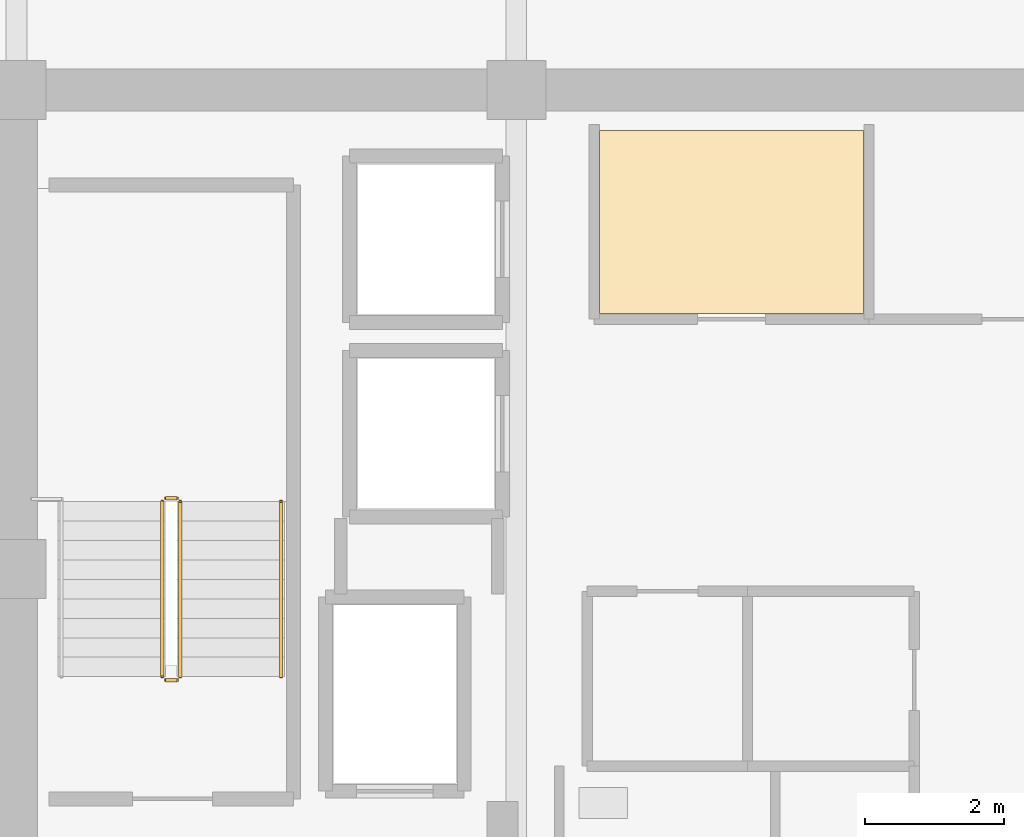
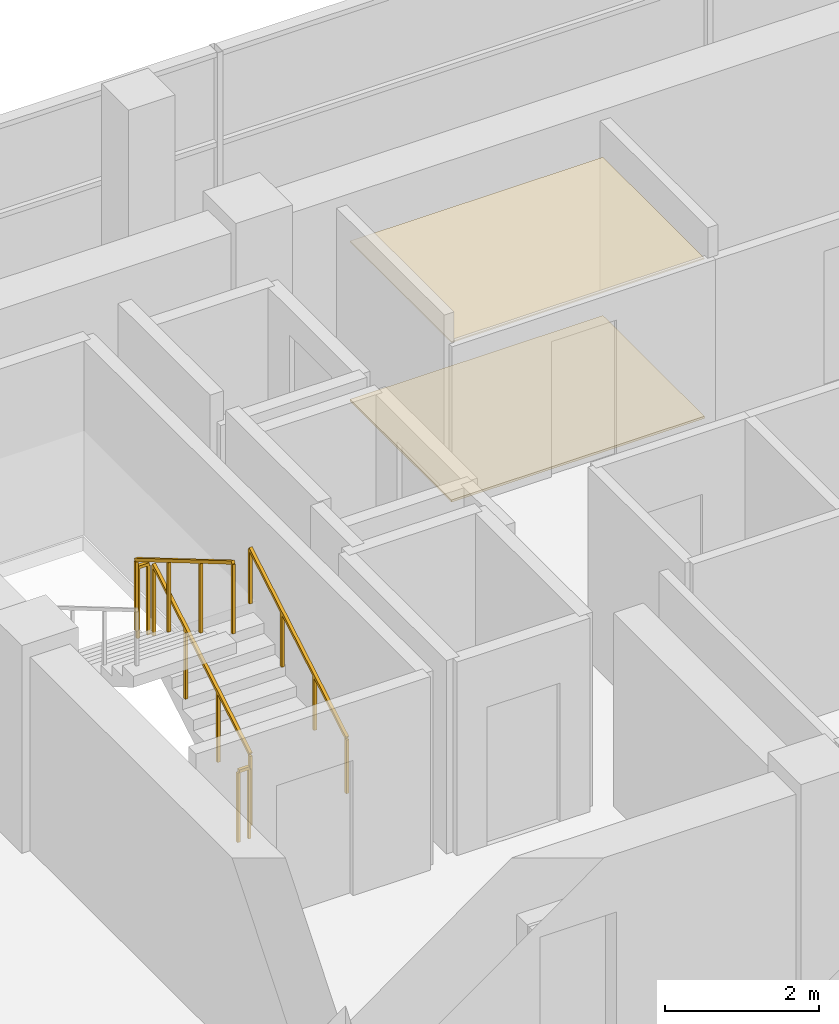
# One storey, part 20 of 22: 5 railings, 2 coverings.
"""IFC4 building model written with IfcOpenShell, lengths in metres."""

from ifc_helpers import new_model, si_unit, direction, frame, origin, origin_2d, place, context, subcontext, project, spatial, polyline, rectangle, outline, extrude, material, layer, layer_set, type_object, element, save


model = new_model("IFC4")

# Units and contexts
model_context = context("Model", 3, precision=1e-05, world=origin(), true_north=direction((0.0, 1.0)))
body_context = subcontext(model_context, "Body", "Model", "MODEL_VIEW")
ifc_project = project(units=[si_unit("LENGTHUNIT", "METRE"), si_unit("AREAUNIT", "SQUARE_METRE"), si_unit("VOLUMEUNIT", "CUBIC_METRE"), si_unit("PLANEANGLEUNIT", "RADIAN"), si_unit("MASSUNIT", "GRAM", prefix="KILO")], contexts=[model_context])

# Site, building, storey
site_placement = place(None, origin())
site = spatial("IfcSite", under=ifc_project, at=site_placement, CompositionType="ELEMENT")
building_placement = place(site_placement, origin())
building = spatial("IfcBuilding", under=site, at=building_placement, Name="Zarnakvel Exchange Tower", CompositionType="ELEMENT")
storey_placement = place(building_placement, frame((0.0, 0.0, 228.699951171875)))
storey = spatial("IfcBuildingStorey", under=building, at=storey_placement, Name="L64", CompositionType="ELEMENT", Elevation=228.699951171875)

# Coverings
ifc_material_1 = material(Name="Perforated Bronze Acoustic Metal Ceiling", Category="aluminium")
ifc_layer_1 = layer(ifc_material_1, 0.02001953125)
ifc_layer_set_1 = layer_set([ifc_layer_1], Name="Perforated Bronze Acoustic Metal Ceiling")
covering_type_1 = type_object("IfcCoveringType", Name="CLG-01", PredefinedType="CEILING", material=ifc_layer_set_1)
covering_1_placement = place(storey_placement, frame((0.0, 0.0, 2.530029296875)))
element("IfcCovering", 1, at=covering_1_placement, inside=storey, type_object=covering_type_1, Name="L64 Suspended Acoustic Ceiling (Clearing Records Office)", PredefinedType="CEILING", context=body_context, shape_type="SweptSolid", body=[
    extrude(outline(polyline([(-6.0, 12.919921875), (-2.199951171875, 12.919921875), (-2.199951171875, 10.280029296875), (-6.0, 10.280029296875), (-6.0, 12.919921875)])), origin(), (0.0, 0.0, 1.0), 0.02001953125),
])
ifc_material_2 = material(Name="Heavy-Duty Raised Access Floor Panel", Category="steel")
ifc_layer_2 = layer(ifc_material_2, 0.034912109375)
ifc_layer_set_2 = layer_set([ifc_layer_2], Name="Heavy-Duty Raised Access Floor Panel")
covering_type_2 = type_object("IfcCoveringType", Name="FLR-02", PredefinedType="FLOORING", material=ifc_layer_set_2)
covering_2_placement = place(storey_placement, origin())
element("IfcCovering", 2, at=covering_2_placement, inside=storey, type_object=covering_type_2, Name="L64 Floor Finish (Clearing Records Office)", PredefinedType="FLOORING", context=body_context, shape_type="SweptSolid", body=[
    extrude(outline(polyline([(-6.0, 12.919921875), (-2.199951171875, 12.919921875), (-2.199951171875, 10.280029296875), (-6.0, 10.280029296875), (-6.0, 12.919921875)])), origin(), (0.0, 0.0, 1.0), 0.03515625),
])

# Railings
ifc_material_3 = material(Name="Brushed Stainless Steel", Category="steel")
railing_type_1 = type_object("IfcRailingType", Name="HR-01", PredefinedType="HANDRAIL", material=ifc_material_3)
railing_1_placement = place(storey_placement, frame((-10.590087890625, 5.050048828125, 0.1650390625)))
element("IfcRailing", 3, at=railing_1_placement, inside=storey, type_object=railing_type_1, Name="L64 ST-01 stair handrail 1", PredefinedType="HANDRAIL", context=body_context, shape_type="SweptSolid", body=[
    extrude(rectangle(XDim=0.048095703125, YDim=0.048095703125, at=origin_2d()), frame((0.0, 0.0, 0.8759765625), z_axis=(0.0, 0.86152411907, 0.507716645641), x_axis=(-1.0, 0.0, 0.0)), (0.0, 0.0, 1.0), 2.925048828125),
    extrude(rectangle(XDim=0.0419921875, YDim=0.0419921875, at=origin_2d()), origin(), (0.0, 0.0, 1.0), 0.851806640625),
    extrude(rectangle(XDim=0.0419921875, YDim=0.0419921875, at=origin_2d()), frame((0.0, 0.840087890625, 0.4951171875)), (0.0, 0.0, 1.0), 0.851806640625),
    extrude(rectangle(XDim=0.0419921875, YDim=0.0419921875, at=origin_2d()), frame((0.0, 1.679931640625, 0.989990234375)), (0.0, 0.0, 1.0), 0.851806640625),
    extrude(rectangle(XDim=0.0419921875, YDim=0.0419921875, at=origin_2d()), frame((0.0, 2.52001953125, 1.485107421875)), (0.0, 0.0, 1.0), 0.851806640625),
])
ifc_material_4 = material(Name="Architectural Bronze Anodised Aluminium", Category="aluminium")
railing_type_2 = type_object("IfcRailingType", Name="SG-01", PredefinedType="GUARDRAIL", material=ifc_material_4)
railing_2_placement = place(storey_placement, frame((-12.0400390625, 5.050048828125, 0.1650390625)))
element("IfcRailing", 4, at=railing_2_placement, inside=storey, type_object=railing_type_2, Name="L64 ST-01 stair guard 1", PredefinedType="GUARDRAIL", context=body_context, shape_type="SweptSolid", body=[
    extrude(rectangle(XDim=0.048095703125, YDim=0.048095703125, at=origin_2d()), frame((0.0, 0.0, 1.1259765625), z_axis=(0.0, 0.86152411907, 0.507716645641), x_axis=(-1.0, 0.0, 0.0)), (0.0, 0.0, 1.0), 2.925048828125),
    extrude(rectangle(XDim=0.0419921875, YDim=0.0419921875, at=origin_2d()), origin(), (0.0, 0.0, 1.0), 1.101806640625),
    extrude(rectangle(XDim=0.0419921875, YDim=0.0419921875, at=origin_2d()), frame((0.0, 0.840087890625, 0.4951171875)), (0.0, 0.0, 1.0), 1.101806640625),
    extrude(rectangle(XDim=0.0419921875, YDim=0.0419921875, at=origin_2d()), frame((0.0, 1.679931640625, 0.989990234375)), (0.0, 0.0, 1.0), 1.101806640625),
    extrude(rectangle(XDim=0.0419921875, YDim=0.0419921875, at=origin_2d()), frame((0.0, 2.52001953125, 1.485107421875)), (0.0, 0.0, 1.0), 1.101806640625),
])
railing_3_placement = place(storey_placement, frame((-12.090087890625, 7.6201171875, 1.650146484375)))
element("IfcRailing", 5, at=railing_3_placement, inside=storey, type_object=railing_type_2, Name="L64 ST-01 stair guard 2", PredefinedType="GUARDRAIL", context=body_context, shape_type="SweptSolid", body=[
    extrude(rectangle(XDim=0.048095703125, YDim=0.048095703125, at=origin_2d()), frame((0.0, 0.0, 1.1259765625), z_axis=(-1.0, 0.0, 0.0), x_axis=(0.0, -1.0, 0.0)), (0.0, 0.0, 1.0), 0.159912109375),
    extrude(rectangle(XDim=0.0419921875, YDim=0.0419921875, at=origin_2d()), origin(), (0.0, 0.0, 1.0), 1.101806640625),
    extrude(rectangle(XDim=0.0419921875, YDim=0.0419921875, at=origin_2d()), frame((-0.159912109375, 0.0, 0.0)), (0.0, 0.0, 1.0), 1.101806640625),
])
railing_4_placement = place(storey_placement, frame((-12.300048828125, 7.570068359375, 1.81494140625)))
element("IfcRailing", 6, at=railing_4_placement, inside=storey, type_object=railing_type_2, Name="L64 ST-01 stair guard 3", PredefinedType="GUARDRAIL", context=body_context, shape_type="SweptSolid", body=[
    extrude(rectangle(XDim=0.048095703125, YDim=0.048095703125, at=origin_2d()), frame((0.0, 0.0, 1.1259765625), z_axis=(0.0, -0.86152411907, 0.507716645641), x_axis=(1.0, 0.0, 0.0)), (0.0, 0.0, 1.0), 2.925048828125),
    extrude(rectangle(XDim=0.0419921875, YDim=0.0419921875, at=origin_2d()), origin(), (0.0, 0.0, 1.0), 1.101806640625),
    extrude(rectangle(XDim=0.0419921875, YDim=0.0419921875, at=origin_2d()), frame((0.0, -0.840087890625, 0.4951171875)), (0.0, 0.0, 1.0), 1.101806640625),
    extrude(rectangle(XDim=0.0419921875, YDim=0.0419921875, at=origin_2d()), frame((0.0, -1.679931640625, 0.989990234375)), (0.0, 0.0, 1.0), 1.101806640625),
    extrude(rectangle(XDim=0.0419921875, YDim=0.0419921875, at=origin_2d()), frame((0.0, -2.52001953125, 1.485107421875)), (0.0, 0.0, 1.0), 1.101806640625),
])
railing_5_placement = place(storey_placement, frame((-12.090087890625, 5.0, 0.0)))
element("IfcRailing", 7, at=railing_5_placement, inside=storey, type_object=railing_type_2, Name="L64 ST-01 stair guard 4", PredefinedType="GUARDRAIL", context=body_context, shape_type="SweptSolid", body=[
    extrude(rectangle(XDim=0.048095703125, YDim=0.048095703125, at=origin_2d()), frame((0.0, 0.0, 1.1259765625), z_axis=(-1.0, 0.0, 0.0), x_axis=(0.0, -1.0, 0.0)), (0.0, 0.0, 1.0), 0.159912109375),
    extrude(rectangle(XDim=0.0419921875, YDim=0.0419921875, at=origin_2d()), origin(), (0.0, 0.0, 1.0), 1.101806640625),
    extrude(rectangle(XDim=0.0419921875, YDim=0.0419921875, at=origin_2d()), frame((-0.159912109375, 0.0, 0.0)), (0.0, 0.0, 1.0), 1.101806640625),
])

save(model, "model.ifc")
